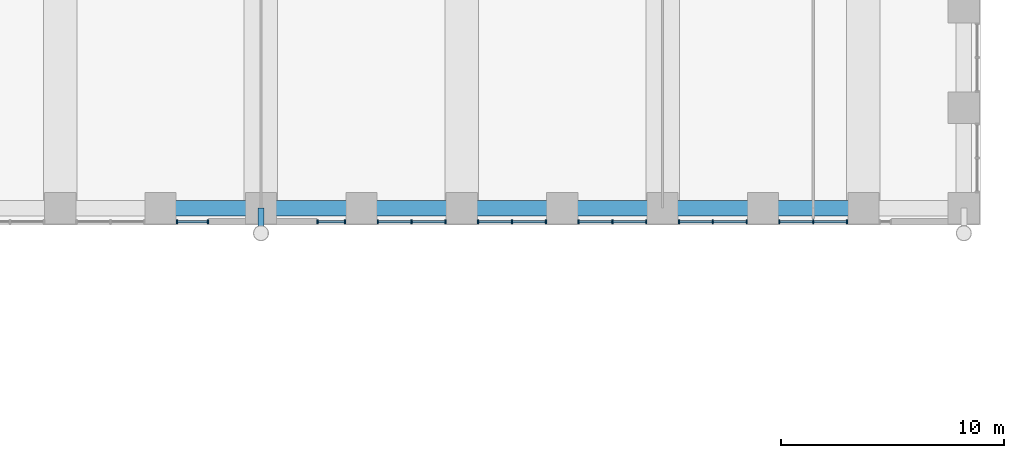
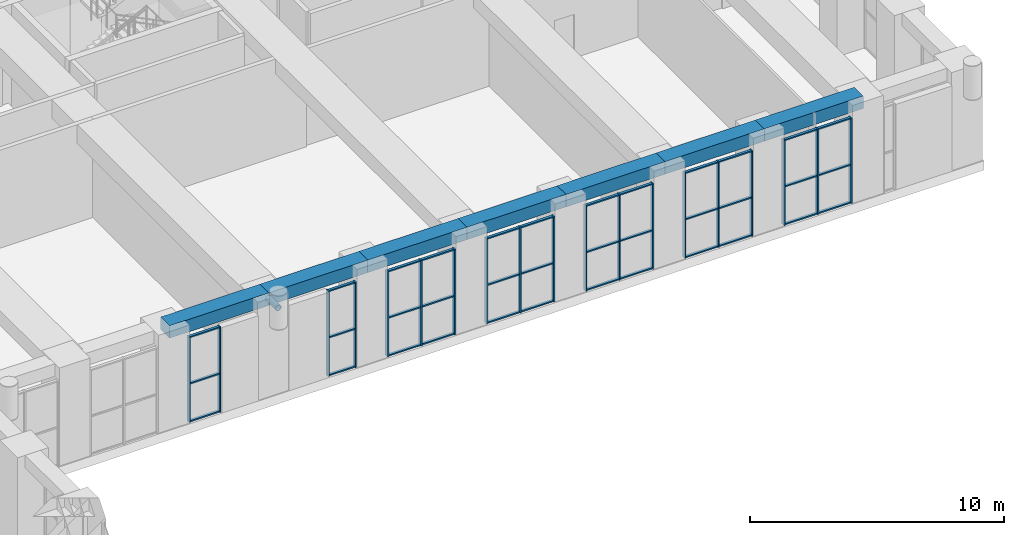
# One storey, part 6 of 35: 56 members, 7 beams, 7 elements without a shape of their own.
"""IFC4 building model written with IfcOpenShell, lengths in metres."""

from ifc_helpers import new_model, si_unit, direction, frame, origin, origin_2d, place, context, subcontext, project, spatial, rectangle, hollow_circle, extrude, material, material_profile, profile_set, type_object, element, aggregate, save


model = new_model("IFC4")

# Units and contexts
model_context = context("Model", 3, precision=1e-05, world=origin(), true_north=direction((0.0, 1.0)))
body_context = subcontext(model_context, "Body", "Model", "MODEL_VIEW")
ifc_project = project(units=[si_unit("LENGTHUNIT", "METRE"), si_unit("AREAUNIT", "SQUARE_METRE"), si_unit("VOLUMEUNIT", "CUBIC_METRE"), si_unit("PLANEANGLEUNIT", "RADIAN"), si_unit("MASSUNIT", "GRAM", prefix="KILO")], contexts=[model_context])

# Site, building, storey
site_placement = place(None, origin())
site = spatial("IfcSite", under=ifc_project, at=site_placement, CompositionType="ELEMENT")
building_placement = place(site_placement, origin())
building = spatial("IfcBuilding", under=site, at=building_placement, Name="Firuza Court", CompositionType="ELEMENT")
storey_placement = place(building_placement, frame((0.0, 0.0, 24.0)))
storey = spatial("IfcBuildingStorey", under=building, at=storey_placement, Name="L04", CompositionType="ELEMENT", Elevation=24.0)

# Member
ifc_material_1 = material(Name="Steel S355", Category="steel")
ifc_material_profile_1 = material_profile(ifc_material_1, hollow_circle(Radius=0.136474609375, WallThickness=0.012451171875, at=origin_2d()), Name="CHS 273x12.5")
ifc_profile_set_1 = profile_set([ifc_material_profile_1], Name="Steel S355")
member_type_1 = type_object("IfcMemberType", Name="Diagrid tie CHS 273x12.5 S355", PredefinedType="STRUT", material=ifc_profile_set_1)
member_1_placement = place(storey_placement, frame((36.0, 36.0, 4.449951171875), z_axis=(0.0, -1.0, 0.0), x_axis=(1.0, 0.0, 0.0)))
element("IfcMember", 1, at=member_1_placement, inside=storey, type_object=member_type_1, Name="Diagrid tie level L05", PredefinedType="STRUT", context=body_context, shape_type="SweptSolid", body=[
    extrude(hollow_circle(Radius=0.136474609375, WallThickness=0.012451171875, at=origin_2d()), origin(), (0.0, 0.0, 1.0), 1.1201171875),
])

# Curtain wall, members
ifc_material_2 = material(Name="Aluminium curtain wall, triple clear glazing", Category="aluminium")
curtain_wall_type = type_object("IfcCurtainWallType", Name="Podium unitised curtain wall CW1", PredefinedType="NOTDEFINED", material=ifc_material_2)
curtain_wall_1_placement = place(storey_placement, origin())
curtain_wall_1 = element("IfcCurtainWall", 2, at=curtain_wall_1_placement, inside=storey, type_object=curtain_wall_type, Name="Podium unitised curtain wall CW1 L04", PredefinedType="NOTDEFINED")
ifc_material_3 = material(Name="Aluminium EN AW-6060 T66", Category="aluminium")
ifc_material_profile_2 = material_profile(ifc_material_3, rectangle(XDim=0.179931640625, YDim=0.06005859375, at=origin_2d()), Name="Mullion 180 x 60 CW1")
ifc_profile_set_2 = profile_set([ifc_material_profile_2], Name="Aluminium EN AW-6060 T66")
member_type_2 = type_object("IfcMemberType", Name="Mullion 180 x 60 CW1", PredefinedType="MULLION", material=ifc_profile_set_2)
member_2_placement = place(storey_placement, frame((32.22998046875, 35.39990234375, 0.0), z_axis=(0.0, 0.0, 1.0), x_axis=(0.0, 1.0, 0.0)))
member_2 = element("IfcMember", 3, at=member_2_placement, type_object=member_type_2, Name="CW1 mullion 1", PredefinedType="MULLION", context=body_context, shape_type="SweptSolid", body=[
    extrude(rectangle(XDim=0.179931640625, YDim=0.06005859375, at=origin_2d()), origin(), (0.0, 0.0, 1.0), 4.10009765625),
])
member_3_placement = place(storey_placement, frame((33.62158203125, 35.39990234375, 0.0), z_axis=(0.0, 0.0, 1.0), x_axis=(0.0, 1.0, 0.0)))
member_3 = element("IfcMember", 4, at=member_3_placement, type_object=member_type_2, Name="CW1 mullion 2", PredefinedType="MULLION", context=body_context, shape_type="SweptSolid", body=[
    extrude(rectangle(XDim=0.179931640625, YDim=0.06005859375, at=origin_2d()), origin(), (0.0, 0.0, 1.0), 4.10009765625),
])

curtain_wall_2_placement = place(storey_placement, origin())
curtain_wall_2 = element("IfcCurtainWall", 5, at=curtain_wall_2_placement, inside=storey, type_object=curtain_wall_type, Name="Podium unitised curtain wall CW1 L04", PredefinedType="NOTDEFINED")
member_4_placement = place(storey_placement, frame((38.539306640625, 35.39990234375, 0.0), z_axis=(0.0, 0.0, 1.0), x_axis=(0.0, 1.0, 0.0)))
member_4 = element("IfcMember", 6, at=member_4_placement, type_object=member_type_2, Name="CW1 mullion 1", PredefinedType="MULLION", context=body_context, shape_type="SweptSolid", body=[
    extrude(rectangle(XDim=0.179931640625, YDim=0.06005859375, at=origin_2d()), origin(), (0.0, 0.0, 1.0), 4.10009765625),
])
member_5_placement = place(storey_placement, frame((39.77001953125, 35.39990234375, 0.0), z_axis=(0.0, 0.0, 1.0), x_axis=(0.0, 1.0, 0.0)))
member_5 = element("IfcMember", 7, at=member_5_placement, type_object=member_type_2, Name="CW1 mullion 2", PredefinedType="MULLION", context=body_context, shape_type="SweptSolid", body=[
    extrude(rectangle(XDim=0.179931640625, YDim=0.06005859375, at=origin_2d()), origin(), (0.0, 0.0, 1.0), 4.10009765625),
])

curtain_wall_3_placement = place(storey_placement, origin())
curtain_wall_3 = element("IfcCurtainWall", 8, at=curtain_wall_3_placement, inside=storey, type_object=curtain_wall_type, Name="Podium unitised curtain wall CW1 L04", PredefinedType="NOTDEFINED")
member_6_placement = place(storey_placement, frame((41.22998046875, 35.39990234375, 0.0), z_axis=(0.0, 0.0, 1.0), x_axis=(0.0, 1.0, 0.0)))
member_6 = element("IfcMember", 9, at=member_6_placement, type_object=member_type_2, Name="CW1 mullion 1", PredefinedType="MULLION", context=body_context, shape_type="SweptSolid", body=[
    extrude(rectangle(XDim=0.179931640625, YDim=0.06005859375, at=origin_2d()), origin(), (0.0, 0.0, 1.0), 4.10009765625),
])
member_7_placement = place(storey_placement, frame((42.75, 35.39990234375, 0.0), z_axis=(0.0, 0.0, 1.0), x_axis=(0.0, 1.0, 0.0)))
member_7 = element("IfcMember", 10, at=member_7_placement, type_object=member_type_2, Name="CW1 mullion 2", PredefinedType="MULLION", context=body_context, shape_type="SweptSolid", body=[
    extrude(rectangle(XDim=0.179931640625, YDim=0.06005859375, at=origin_2d()), origin(), (0.0, 0.0, 1.0), 4.10009765625),
])
member_8_placement = place(storey_placement, frame((44.27001953125, 35.39990234375, 0.0), z_axis=(0.0, 0.0, 1.0), x_axis=(0.0, 1.0, 0.0)))
member_8 = element("IfcMember", 11, at=member_8_placement, type_object=member_type_2, Name="CW1 mullion 3", PredefinedType="MULLION", context=body_context, shape_type="SweptSolid", body=[
    extrude(rectangle(XDim=0.179931640625, YDim=0.06005859375, at=origin_2d()), origin(), (0.0, 0.0, 1.0), 4.10009765625),
])

curtain_wall_4_placement = place(storey_placement, origin())
curtain_wall_4 = element("IfcCurtainWall", 12, at=curtain_wall_4_placement, inside=storey, type_object=curtain_wall_type, Name="Podium unitised curtain wall CW1 L04", PredefinedType="NOTDEFINED")
member_9_placement = place(storey_placement, frame((45.72998046875, 35.39990234375, 0.0), z_axis=(0.0, 0.0, 1.0), x_axis=(0.0, 1.0, 0.0)))
member_9 = element("IfcMember", 13, at=member_9_placement, type_object=member_type_2, Name="CW1 mullion 1", PredefinedType="MULLION", context=body_context, shape_type="SweptSolid", body=[
    extrude(rectangle(XDim=0.179931640625, YDim=0.06005859375, at=origin_2d()), origin(), (0.0, 0.0, 1.0), 4.10009765625),
])
member_10_placement = place(storey_placement, frame((47.25, 35.39990234375, 0.0), z_axis=(0.0, 0.0, 1.0), x_axis=(0.0, 1.0, 0.0)))
member_10 = element("IfcMember", 14, at=member_10_placement, type_object=member_type_2, Name="CW1 mullion 2", PredefinedType="MULLION", context=body_context, shape_type="SweptSolid", body=[
    extrude(rectangle(XDim=0.179931640625, YDim=0.06005859375, at=origin_2d()), origin(), (0.0, 0.0, 1.0), 4.10009765625),
])
member_11_placement = place(storey_placement, frame((48.77001953125, 35.39990234375, 0.0), z_axis=(0.0, 0.0, 1.0), x_axis=(0.0, 1.0, 0.0)))
member_11 = element("IfcMember", 15, at=member_11_placement, type_object=member_type_2, Name="CW1 mullion 3", PredefinedType="MULLION", context=body_context, shape_type="SweptSolid", body=[
    extrude(rectangle(XDim=0.179931640625, YDim=0.06005859375, at=origin_2d()), origin(), (0.0, 0.0, 1.0), 4.10009765625),
])

curtain_wall_5_placement = place(storey_placement, origin())
curtain_wall_5 = element("IfcCurtainWall", 16, at=curtain_wall_5_placement, inside=storey, type_object=curtain_wall_type, Name="Podium unitised curtain wall CW1 L04", PredefinedType="NOTDEFINED")
member_12_placement = place(storey_placement, frame((50.22998046875, 35.39990234375, 0.0), z_axis=(0.0, 0.0, 1.0), x_axis=(0.0, 1.0, 0.0)))
member_12 = element("IfcMember", 17, at=member_12_placement, type_object=member_type_2, Name="CW1 mullion 1", PredefinedType="MULLION", context=body_context, shape_type="SweptSolid", body=[
    extrude(rectangle(XDim=0.179931640625, YDim=0.06005859375, at=origin_2d()), origin(), (0.0, 0.0, 1.0), 4.10009765625),
])
member_13_placement = place(storey_placement, frame((51.75, 35.39990234375, 0.0), z_axis=(0.0, 0.0, 1.0), x_axis=(0.0, 1.0, 0.0)))
member_13 = element("IfcMember", 18, at=member_13_placement, type_object=member_type_2, Name="CW1 mullion 2", PredefinedType="MULLION", context=body_context, shape_type="SweptSolid", body=[
    extrude(rectangle(XDim=0.179931640625, YDim=0.06005859375, at=origin_2d()), origin(), (0.0, 0.0, 1.0), 4.10009765625),
])
member_14_placement = place(storey_placement, frame((53.27001953125, 35.39990234375, 0.0), z_axis=(0.0, 0.0, 1.0), x_axis=(0.0, 1.0, 0.0)))
member_14 = element("IfcMember", 19, at=member_14_placement, type_object=member_type_2, Name="CW1 mullion 3", PredefinedType="MULLION", context=body_context, shape_type="SweptSolid", body=[
    extrude(rectangle(XDim=0.179931640625, YDim=0.06005859375, at=origin_2d()), origin(), (0.0, 0.0, 1.0), 4.10009765625),
])

curtain_wall_6_placement = place(storey_placement, origin())
curtain_wall_6 = element("IfcCurtainWall", 20, at=curtain_wall_6_placement, inside=storey, type_object=curtain_wall_type, Name="Podium unitised curtain wall CW1 L04", PredefinedType="NOTDEFINED")
member_15_placement = place(storey_placement, frame((54.72998046875, 35.39990234375, 0.0), z_axis=(0.0, 0.0, 1.0), x_axis=(0.0, 1.0, 0.0)))
member_15 = element("IfcMember", 21, at=member_15_placement, type_object=member_type_2, Name="CW1 mullion 1", PredefinedType="MULLION", context=body_context, shape_type="SweptSolid", body=[
    extrude(rectangle(XDim=0.179931640625, YDim=0.06005859375, at=origin_2d()), origin(), (0.0, 0.0, 1.0), 4.10009765625),
])
member_16_placement = place(storey_placement, frame((56.25, 35.39990234375, 0.0), z_axis=(0.0, 0.0, 1.0), x_axis=(0.0, 1.0, 0.0)))
member_16 = element("IfcMember", 22, at=member_16_placement, type_object=member_type_2, Name="CW1 mullion 2", PredefinedType="MULLION", context=body_context, shape_type="SweptSolid", body=[
    extrude(rectangle(XDim=0.179931640625, YDim=0.06005859375, at=origin_2d()), origin(), (0.0, 0.0, 1.0), 4.10009765625),
])
member_17_placement = place(storey_placement, frame((57.77001953125, 35.39990234375, 0.0), z_axis=(0.0, 0.0, 1.0), x_axis=(0.0, 1.0, 0.0)))
member_17 = element("IfcMember", 23, at=member_17_placement, type_object=member_type_2, Name="CW1 mullion 3", PredefinedType="MULLION", context=body_context, shape_type="SweptSolid", body=[
    extrude(rectangle(XDim=0.179931640625, YDim=0.06005859375, at=origin_2d()), origin(), (0.0, 0.0, 1.0), 4.10009765625),
])

curtain_wall_7_placement = place(storey_placement, origin())
curtain_wall_7 = element("IfcCurtainWall", 24, at=curtain_wall_7_placement, inside=storey, type_object=curtain_wall_type, Name="Podium unitised curtain wall CW1 L04", PredefinedType="NOTDEFINED")
member_18_placement = place(storey_placement, frame((59.22998046875, 35.39990234375, 0.0), z_axis=(0.0, 0.0, 1.0), x_axis=(0.0, 1.0, 0.0)))
member_18 = element("IfcMember", 25, at=member_18_placement, type_object=member_type_2, Name="CW1 mullion 1", PredefinedType="MULLION", context=body_context, shape_type="SweptSolid", body=[
    extrude(rectangle(XDim=0.179931640625, YDim=0.06005859375, at=origin_2d()), origin(), (0.0, 0.0, 1.0), 4.10009765625),
])
member_19_placement = place(storey_placement, frame((60.75, 35.39990234375, 0.0), z_axis=(0.0, 0.0, 1.0), x_axis=(0.0, 1.0, 0.0)))
member_19 = element("IfcMember", 26, at=member_19_placement, type_object=member_type_2, Name="CW1 mullion 2", PredefinedType="MULLION", context=body_context, shape_type="SweptSolid", body=[
    extrude(rectangle(XDim=0.179931640625, YDim=0.06005859375, at=origin_2d()), origin(), (0.0, 0.0, 1.0), 4.10009765625),
])
member_20_placement = place(storey_placement, frame((62.27001953125, 35.39990234375, 0.0), z_axis=(0.0, 0.0, 1.0), x_axis=(0.0, 1.0, 0.0)))
member_20 = element("IfcMember", 27, at=member_20_placement, type_object=member_type_2, Name="CW1 mullion 3", PredefinedType="MULLION", context=body_context, shape_type="SweptSolid", body=[
    extrude(rectangle(XDim=0.179931640625, YDim=0.06005859375, at=origin_2d()), origin(), (0.0, 0.0, 1.0), 4.10009765625),
])

# Beams
ifc_material_4 = material(Name="Concrete C40/50", Category="concrete")
ifc_material_profile_3 = material_profile(ifc_material_4, rectangle(XDim=0.699951171875, YDim=0.60009765625, at=origin_2d()), Name="RC 700x600")
ifc_profile_set_3 = profile_set([ifc_material_profile_3], Name="Concrete C40/50")
beam_type = type_object("IfcBeamType", Name="Spandrel beam RC 700x600 C40/50", PredefinedType="BEAM", material=ifc_profile_set_3)
for number, where, z_axis, x_axis, name in (
    (28, (31.5, 36.0, 4.39990234375), (1.0, 0.0, 0.0), (0.0, 1.0, 0.0), "Spandrel beam SP10 level L05"),
    (29, (36.0, 36.0, 4.39990234375), (1.0, 0.0, 0.0), (0.0, 1.0, 0.0), "Spandrel beam SP10 level L05"),
    (30, (40.5, 36.0, 4.39990234375), (1.0, 0.0, 0.0), (0.0, 1.0, 0.0), "Spandrel beam SP10 level L05"),
    (31, (45.0, 36.0, 4.39990234375), (1.0, 0.0, 0.0), (0.0, 1.0, 0.0), "Spandrel beam SP10 level L05"),
    (32, (49.5, 36.0, 4.39990234375), (1.0, 0.0, 0.0), (0.0, 1.0, 0.0), "Spandrel beam SP10 level L05"),
    (33, (54.0, 36.0, 4.39990234375), (1.0, 0.0, 0.0), (0.0, 1.0, 0.0), "Spandrel beam SP10 level L05"),
    (34, (58.5, 36.0, 4.39990234375), (1.0, 0.0, 0.0), (0.0, 1.0, 0.0), "Spandrel beam SP10 level L05"),
):
    element("IfcBeam", number, at=place(storey_placement, frame(where, z_axis=z_axis, x_axis=x_axis)), inside=storey, type_object=beam_type, Name=name, PredefinedType="BEAM", context=body_context, shape_type="SweptSolid", body=[
        extrude(rectangle(XDim=0.699951171875, YDim=0.60009765625, at=origin_2d()), origin(), (0.0, 0.0, 1.0), 4.5),
    ])

# Member
ifc_material_5 = material(Name="Aluminium EN AW-6060 T66", Category="aluminium")
ifc_material_profile_4 = material_profile(ifc_material_5, rectangle(XDim=0.1201171875, YDim=0.06005859375, at=origin_2d()), Name="Transom 120 x 60 CW1")
ifc_profile_set_4 = profile_set([ifc_material_profile_4], Name="Aluminium EN AW-6060 T66")
member_type_3 = type_object("IfcMemberType", Name="Transom 120 x 60 CW1", PredefinedType="USERDEFINED", material=ifc_profile_set_4)
member_21_placement = place(storey_placement, frame((32.260009765625, 35.39990234375, 0.030029296875), z_axis=(1.0, 0.0, 0.0), x_axis=(0.0, 1.0, 0.0)))
member_21 = element("IfcMember", 35, at=member_21_placement, type_object=member_type_3, Name="CW1 transom 1.1", ObjectType="TRANSOM", PredefinedType="USERDEFINED", context=body_context, shape_type="SweptSolid", body=[
    extrude(rectangle(XDim=0.1201171875, YDim=0.06005859375, at=origin_2d()), origin(), (0.0, 0.0, 1.0), 1.33154296875),
])

member_22_placement = place(storey_placement, frame((32.260009765625, 35.39990234375, 1.844970703125), z_axis=(1.0, 0.0, 0.0), x_axis=(0.0, 1.0, 0.0)))
member_22 = element("IfcMember", 36, at=member_22_placement, type_object=member_type_3, Name="CW1 transom 1.2", ObjectType="TRANSOM", PredefinedType="USERDEFINED", context=body_context, shape_type="SweptSolid", body=[
    extrude(rectangle(XDim=0.1201171875, YDim=0.06005859375, at=origin_2d()), origin(), (0.0, 0.0, 1.0), 1.33154296875),
])

member_23_placement = place(storey_placement, frame((32.260009765625, 35.39990234375, 4.070068359375), z_axis=(1.0, 0.0, 0.0), x_axis=(0.0, 1.0, 0.0)))
member_23 = element("IfcMember", 37, at=member_23_placement, type_object=member_type_3, Name="CW1 transom 1.3", ObjectType="TRANSOM", PredefinedType="USERDEFINED", context=body_context, shape_type="SweptSolid", body=[
    extrude(rectangle(XDim=0.1201171875, YDim=0.06005859375, at=origin_2d()), origin(), (0.0, 0.0, 1.0), 1.33154296875),
])

aggregate(curtain_wall_1, [member_2, member_3, member_21, member_22, member_23])

member_24_placement = place(storey_placement, frame((38.569091796875, 35.39990234375, 0.030029296875), z_axis=(1.0, 0.0, 0.0), x_axis=(0.0, 1.0, 0.0)))
member_24 = element("IfcMember", 38, at=member_24_placement, type_object=member_type_3, Name="CW1 transom 1.1", ObjectType="TRANSOM", PredefinedType="USERDEFINED", context=body_context, shape_type="SweptSolid", body=[
    extrude(rectangle(XDim=0.1201171875, YDim=0.06005859375, at=origin_2d()), origin(), (0.0, 0.0, 1.0), 1.1708984375),
])

member_25_placement = place(storey_placement, frame((38.569091796875, 35.39990234375, 1.844970703125), z_axis=(1.0, 0.0, 0.0), x_axis=(0.0, 1.0, 0.0)))
member_25 = element("IfcMember", 39, at=member_25_placement, type_object=member_type_3, Name="CW1 transom 1.2", ObjectType="TRANSOM", PredefinedType="USERDEFINED", context=body_context, shape_type="SweptSolid", body=[
    extrude(rectangle(XDim=0.1201171875, YDim=0.06005859375, at=origin_2d()), origin(), (0.0, 0.0, 1.0), 1.1708984375),
])

member_26_placement = place(storey_placement, frame((38.569091796875, 35.39990234375, 4.070068359375), z_axis=(1.0, 0.0, 0.0), x_axis=(0.0, 1.0, 0.0)))
member_26 = element("IfcMember", 40, at=member_26_placement, type_object=member_type_3, Name="CW1 transom 1.3", ObjectType="TRANSOM", PredefinedType="USERDEFINED", context=body_context, shape_type="SweptSolid", body=[
    extrude(rectangle(XDim=0.1201171875, YDim=0.06005859375, at=origin_2d()), origin(), (0.0, 0.0, 1.0), 1.1708984375),
])

aggregate(curtain_wall_2, [member_4, member_5, member_24, member_25, member_26])

member_27_placement = place(storey_placement, frame((41.260009765625, 35.39990234375, 0.030029296875), z_axis=(1.0, 0.0, 0.0), x_axis=(0.0, 1.0, 0.0)))
member_27 = element("IfcMember", 41, at=member_27_placement, type_object=member_type_3, Name="CW1 transom 1.1", ObjectType="TRANSOM", PredefinedType="USERDEFINED", context=body_context, shape_type="SweptSolid", body=[
    extrude(rectangle(XDim=0.1201171875, YDim=0.06005859375, at=origin_2d()), origin(), (0.0, 0.0, 1.0), 1.4599609375),
])

member_28_placement = place(storey_placement, frame((41.260009765625, 35.39990234375, 1.844970703125), z_axis=(1.0, 0.0, 0.0), x_axis=(0.0, 1.0, 0.0)))
member_28 = element("IfcMember", 42, at=member_28_placement, type_object=member_type_3, Name="CW1 transom 1.2", ObjectType="TRANSOM", PredefinedType="USERDEFINED", context=body_context, shape_type="SweptSolid", body=[
    extrude(rectangle(XDim=0.1201171875, YDim=0.06005859375, at=origin_2d()), origin(), (0.0, 0.0, 1.0), 1.4599609375),
])

member_29_placement = place(storey_placement, frame((41.260009765625, 35.39990234375, 4.070068359375), z_axis=(1.0, 0.0, 0.0), x_axis=(0.0, 1.0, 0.0)))
member_29 = element("IfcMember", 43, at=member_29_placement, type_object=member_type_3, Name="CW1 transom 1.3", ObjectType="TRANSOM", PredefinedType="USERDEFINED", context=body_context, shape_type="SweptSolid", body=[
    extrude(rectangle(XDim=0.1201171875, YDim=0.06005859375, at=origin_2d()), origin(), (0.0, 0.0, 1.0), 1.4599609375),
])

member_30_placement = place(storey_placement, frame((42.780029296875, 35.39990234375, 0.030029296875), z_axis=(1.0, 0.0, 0.0), x_axis=(0.0, 1.0, 0.0)))
member_30 = element("IfcMember", 44, at=member_30_placement, type_object=member_type_3, Name="CW1 transom 2.1", ObjectType="TRANSOM", PredefinedType="USERDEFINED", context=body_context, shape_type="SweptSolid", body=[
    extrude(rectangle(XDim=0.1201171875, YDim=0.06005859375, at=origin_2d()), origin(), (0.0, 0.0, 1.0), 1.4599609375),
])

member_31_placement = place(storey_placement, frame((42.780029296875, 35.39990234375, 1.844970703125), z_axis=(1.0, 0.0, 0.0), x_axis=(0.0, 1.0, 0.0)))
member_31 = element("IfcMember", 45, at=member_31_placement, type_object=member_type_3, Name="CW1 transom 2.2", ObjectType="TRANSOM", PredefinedType="USERDEFINED", context=body_context, shape_type="SweptSolid", body=[
    extrude(rectangle(XDim=0.1201171875, YDim=0.06005859375, at=origin_2d()), origin(), (0.0, 0.0, 1.0), 1.4599609375),
])

member_32_placement = place(storey_placement, frame((42.780029296875, 35.39990234375, 4.070068359375), z_axis=(1.0, 0.0, 0.0), x_axis=(0.0, 1.0, 0.0)))
member_32 = element("IfcMember", 46, at=member_32_placement, type_object=member_type_3, Name="CW1 transom 2.3", ObjectType="TRANSOM", PredefinedType="USERDEFINED", context=body_context, shape_type="SweptSolid", body=[
    extrude(rectangle(XDim=0.1201171875, YDim=0.06005859375, at=origin_2d()), origin(), (0.0, 0.0, 1.0), 1.4599609375),
])

aggregate(curtain_wall_3, [member_6, member_7, member_8, member_27, member_28, member_29, member_30, member_31, member_32])

member_33_placement = place(storey_placement, frame((45.760009765625, 35.39990234375, 0.030029296875), z_axis=(1.0, 0.0, 0.0), x_axis=(0.0, 1.0, 0.0)))
member_33 = element("IfcMember", 47, at=member_33_placement, type_object=member_type_3, Name="CW1 transom 1.1", ObjectType="TRANSOM", PredefinedType="USERDEFINED", context=body_context, shape_type="SweptSolid", body=[
    extrude(rectangle(XDim=0.1201171875, YDim=0.06005859375, at=origin_2d()), origin(), (0.0, 0.0, 1.0), 1.4599609375),
])

member_34_placement = place(storey_placement, frame((45.760009765625, 35.39990234375, 1.844970703125), z_axis=(1.0, 0.0, 0.0), x_axis=(0.0, 1.0, 0.0)))
member_34 = element("IfcMember", 48, at=member_34_placement, type_object=member_type_3, Name="CW1 transom 1.2", ObjectType="TRANSOM", PredefinedType="USERDEFINED", context=body_context, shape_type="SweptSolid", body=[
    extrude(rectangle(XDim=0.1201171875, YDim=0.06005859375, at=origin_2d()), origin(), (0.0, 0.0, 1.0), 1.4599609375),
])

member_35_placement = place(storey_placement, frame((45.760009765625, 35.39990234375, 4.070068359375), z_axis=(1.0, 0.0, 0.0), x_axis=(0.0, 1.0, 0.0)))
member_35 = element("IfcMember", 49, at=member_35_placement, type_object=member_type_3, Name="CW1 transom 1.3", ObjectType="TRANSOM", PredefinedType="USERDEFINED", context=body_context, shape_type="SweptSolid", body=[
    extrude(rectangle(XDim=0.1201171875, YDim=0.06005859375, at=origin_2d()), origin(), (0.0, 0.0, 1.0), 1.4599609375),
])

member_36_placement = place(storey_placement, frame((47.280029296875, 35.39990234375, 0.030029296875), z_axis=(1.0, 0.0, 0.0), x_axis=(0.0, 1.0, 0.0)))
member_36 = element("IfcMember", 50, at=member_36_placement, type_object=member_type_3, Name="CW1 transom 2.1", ObjectType="TRANSOM", PredefinedType="USERDEFINED", context=body_context, shape_type="SweptSolid", body=[
    extrude(rectangle(XDim=0.1201171875, YDim=0.06005859375, at=origin_2d()), origin(), (0.0, 0.0, 1.0), 1.4599609375),
])

member_37_placement = place(storey_placement, frame((47.280029296875, 35.39990234375, 1.844970703125), z_axis=(1.0, 0.0, 0.0), x_axis=(0.0, 1.0, 0.0)))
member_37 = element("IfcMember", 51, at=member_37_placement, type_object=member_type_3, Name="CW1 transom 2.2", ObjectType="TRANSOM", PredefinedType="USERDEFINED", context=body_context, shape_type="SweptSolid", body=[
    extrude(rectangle(XDim=0.1201171875, YDim=0.06005859375, at=origin_2d()), origin(), (0.0, 0.0, 1.0), 1.4599609375),
])

member_38_placement = place(storey_placement, frame((47.280029296875, 35.39990234375, 4.070068359375), z_axis=(1.0, 0.0, 0.0), x_axis=(0.0, 1.0, 0.0)))
member_38 = element("IfcMember", 52, at=member_38_placement, type_object=member_type_3, Name="CW1 transom 2.3", ObjectType="TRANSOM", PredefinedType="USERDEFINED", context=body_context, shape_type="SweptSolid", body=[
    extrude(rectangle(XDim=0.1201171875, YDim=0.06005859375, at=origin_2d()), origin(), (0.0, 0.0, 1.0), 1.4599609375),
])

aggregate(curtain_wall_4, [member_9, member_10, member_11, member_33, member_34, member_35, member_36, member_37, member_38])

member_39_placement = place(storey_placement, frame((50.260009765625, 35.39990234375, 0.030029296875), z_axis=(1.0, 0.0, 0.0), x_axis=(0.0, 1.0, 0.0)))
member_39 = element("IfcMember", 53, at=member_39_placement, type_object=member_type_3, Name="CW1 transom 1.1", ObjectType="TRANSOM", PredefinedType="USERDEFINED", context=body_context, shape_type="SweptSolid", body=[
    extrude(rectangle(XDim=0.1201171875, YDim=0.06005859375, at=origin_2d()), origin(), (0.0, 0.0, 1.0), 1.4599609375),
])

member_40_placement = place(storey_placement, frame((50.260009765625, 35.39990234375, 1.844970703125), z_axis=(1.0, 0.0, 0.0), x_axis=(0.0, 1.0, 0.0)))
member_40 = element("IfcMember", 54, at=member_40_placement, type_object=member_type_3, Name="CW1 transom 1.2", ObjectType="TRANSOM", PredefinedType="USERDEFINED", context=body_context, shape_type="SweptSolid", body=[
    extrude(rectangle(XDim=0.1201171875, YDim=0.06005859375, at=origin_2d()), origin(), (0.0, 0.0, 1.0), 1.4599609375),
])

member_41_placement = place(storey_placement, frame((50.260009765625, 35.39990234375, 4.070068359375), z_axis=(1.0, 0.0, 0.0), x_axis=(0.0, 1.0, 0.0)))
member_41 = element("IfcMember", 55, at=member_41_placement, type_object=member_type_3, Name="CW1 transom 1.3", ObjectType="TRANSOM", PredefinedType="USERDEFINED", context=body_context, shape_type="SweptSolid", body=[
    extrude(rectangle(XDim=0.1201171875, YDim=0.06005859375, at=origin_2d()), origin(), (0.0, 0.0, 1.0), 1.4599609375),
])

member_42_placement = place(storey_placement, frame((51.780029296875, 35.39990234375, 0.030029296875), z_axis=(1.0, 0.0, 0.0), x_axis=(0.0, 1.0, 0.0)))
member_42 = element("IfcMember", 56, at=member_42_placement, type_object=member_type_3, Name="CW1 transom 2.1", ObjectType="TRANSOM", PredefinedType="USERDEFINED", context=body_context, shape_type="SweptSolid", body=[
    extrude(rectangle(XDim=0.1201171875, YDim=0.06005859375, at=origin_2d()), origin(), (0.0, 0.0, 1.0), 1.4599609375),
])

member_43_placement = place(storey_placement, frame((51.780029296875, 35.39990234375, 1.844970703125), z_axis=(1.0, 0.0, 0.0), x_axis=(0.0, 1.0, 0.0)))
member_43 = element("IfcMember", 57, at=member_43_placement, type_object=member_type_3, Name="CW1 transom 2.2", ObjectType="TRANSOM", PredefinedType="USERDEFINED", context=body_context, shape_type="SweptSolid", body=[
    extrude(rectangle(XDim=0.1201171875, YDim=0.06005859375, at=origin_2d()), origin(), (0.0, 0.0, 1.0), 1.4599609375),
])

member_44_placement = place(storey_placement, frame((51.780029296875, 35.39990234375, 4.070068359375), z_axis=(1.0, 0.0, 0.0), x_axis=(0.0, 1.0, 0.0)))
member_44 = element("IfcMember", 58, at=member_44_placement, type_object=member_type_3, Name="CW1 transom 2.3", ObjectType="TRANSOM", PredefinedType="USERDEFINED", context=body_context, shape_type="SweptSolid", body=[
    extrude(rectangle(XDim=0.1201171875, YDim=0.06005859375, at=origin_2d()), origin(), (0.0, 0.0, 1.0), 1.4599609375),
])

aggregate(curtain_wall_5, [member_12, member_13, member_14, member_39, member_40, member_41, member_42, member_43, member_44])

member_45_placement = place(storey_placement, frame((54.760009765625, 35.39990234375, 0.030029296875), z_axis=(1.0, 0.0, 0.0), x_axis=(0.0, 1.0, 0.0)))
member_45 = element("IfcMember", 59, at=member_45_placement, type_object=member_type_3, Name="CW1 transom 1.1", ObjectType="TRANSOM", PredefinedType="USERDEFINED", context=body_context, shape_type="SweptSolid", body=[
    extrude(rectangle(XDim=0.1201171875, YDim=0.06005859375, at=origin_2d()), origin(), (0.0, 0.0, 1.0), 1.4599609375),
])

member_46_placement = place(storey_placement, frame((54.760009765625, 35.39990234375, 1.844970703125), z_axis=(1.0, 0.0, 0.0), x_axis=(0.0, 1.0, 0.0)))
member_46 = element("IfcMember", 60, at=member_46_placement, type_object=member_type_3, Name="CW1 transom 1.2", ObjectType="TRANSOM", PredefinedType="USERDEFINED", context=body_context, shape_type="SweptSolid", body=[
    extrude(rectangle(XDim=0.1201171875, YDim=0.06005859375, at=origin_2d()), origin(), (0.0, 0.0, 1.0), 1.4599609375),
])

member_47_placement = place(storey_placement, frame((54.760009765625, 35.39990234375, 4.070068359375), z_axis=(1.0, 0.0, 0.0), x_axis=(0.0, 1.0, 0.0)))
member_47 = element("IfcMember", 61, at=member_47_placement, type_object=member_type_3, Name="CW1 transom 1.3", ObjectType="TRANSOM", PredefinedType="USERDEFINED", context=body_context, shape_type="SweptSolid", body=[
    extrude(rectangle(XDim=0.1201171875, YDim=0.06005859375, at=origin_2d()), origin(), (0.0, 0.0, 1.0), 1.4599609375),
])

member_48_placement = place(storey_placement, frame((56.280029296875, 35.39990234375, 0.030029296875), z_axis=(1.0, 0.0, 0.0), x_axis=(0.0, 1.0, 0.0)))
member_48 = element("IfcMember", 62, at=member_48_placement, type_object=member_type_3, Name="CW1 transom 2.1", ObjectType="TRANSOM", PredefinedType="USERDEFINED", context=body_context, shape_type="SweptSolid", body=[
    extrude(rectangle(XDim=0.1201171875, YDim=0.06005859375, at=origin_2d()), origin(), (0.0, 0.0, 1.0), 1.4599609375),
])

member_49_placement = place(storey_placement, frame((56.280029296875, 35.39990234375, 1.844970703125), z_axis=(1.0, 0.0, 0.0), x_axis=(0.0, 1.0, 0.0)))
member_49 = element("IfcMember", 63, at=member_49_placement, type_object=member_type_3, Name="CW1 transom 2.2", ObjectType="TRANSOM", PredefinedType="USERDEFINED", context=body_context, shape_type="SweptSolid", body=[
    extrude(rectangle(XDim=0.1201171875, YDim=0.06005859375, at=origin_2d()), origin(), (0.0, 0.0, 1.0), 1.4599609375),
])

member_50_placement = place(storey_placement, frame((56.280029296875, 35.39990234375, 4.070068359375), z_axis=(1.0, 0.0, 0.0), x_axis=(0.0, 1.0, 0.0)))
member_50 = element("IfcMember", 64, at=member_50_placement, type_object=member_type_3, Name="CW1 transom 2.3", ObjectType="TRANSOM", PredefinedType="USERDEFINED", context=body_context, shape_type="SweptSolid", body=[
    extrude(rectangle(XDim=0.1201171875, YDim=0.06005859375, at=origin_2d()), origin(), (0.0, 0.0, 1.0), 1.4599609375),
])

aggregate(curtain_wall_6, [member_15, member_16, member_17, member_45, member_46, member_47, member_48, member_49, member_50])

member_51_placement = place(storey_placement, frame((59.260009765625, 35.39990234375, 0.030029296875), z_axis=(1.0, 0.0, 0.0), x_axis=(0.0, 1.0, 0.0)))
member_51 = element("IfcMember", 65, at=member_51_placement, type_object=member_type_3, Name="CW1 transom 1.1", ObjectType="TRANSOM", PredefinedType="USERDEFINED", context=body_context, shape_type="SweptSolid", body=[
    extrude(rectangle(XDim=0.1201171875, YDim=0.06005859375, at=origin_2d()), origin(), (0.0, 0.0, 1.0), 1.4599609375),
])

member_52_placement = place(storey_placement, frame((59.260009765625, 35.39990234375, 1.844970703125), z_axis=(1.0, 0.0, 0.0), x_axis=(0.0, 1.0, 0.0)))
member_52 = element("IfcMember", 66, at=member_52_placement, type_object=member_type_3, Name="CW1 transom 1.2", ObjectType="TRANSOM", PredefinedType="USERDEFINED", context=body_context, shape_type="SweptSolid", body=[
    extrude(rectangle(XDim=0.1201171875, YDim=0.06005859375, at=origin_2d()), origin(), (0.0, 0.0, 1.0), 1.4599609375),
])

member_53_placement = place(storey_placement, frame((59.260009765625, 35.39990234375, 4.070068359375), z_axis=(1.0, 0.0, 0.0), x_axis=(0.0, 1.0, 0.0)))
member_53 = element("IfcMember", 67, at=member_53_placement, type_object=member_type_3, Name="CW1 transom 1.3", ObjectType="TRANSOM", PredefinedType="USERDEFINED", context=body_context, shape_type="SweptSolid", body=[
    extrude(rectangle(XDim=0.1201171875, YDim=0.06005859375, at=origin_2d()), origin(), (0.0, 0.0, 1.0), 1.4599609375),
])

member_54_placement = place(storey_placement, frame((60.780029296875, 35.39990234375, 0.030029296875), z_axis=(1.0, 0.0, 0.0), x_axis=(0.0, 1.0, 0.0)))
member_54 = element("IfcMember", 68, at=member_54_placement, type_object=member_type_3, Name="CW1 transom 2.1", ObjectType="TRANSOM", PredefinedType="USERDEFINED", context=body_context, shape_type="SweptSolid", body=[
    extrude(rectangle(XDim=0.1201171875, YDim=0.06005859375, at=origin_2d()), origin(), (0.0, 0.0, 1.0), 1.4599609375),
])

member_55_placement = place(storey_placement, frame((60.780029296875, 35.39990234375, 1.844970703125), z_axis=(1.0, 0.0, 0.0), x_axis=(0.0, 1.0, 0.0)))
member_55 = element("IfcMember", 69, at=member_55_placement, type_object=member_type_3, Name="CW1 transom 2.2", ObjectType="TRANSOM", PredefinedType="USERDEFINED", context=body_context, shape_type="SweptSolid", body=[
    extrude(rectangle(XDim=0.1201171875, YDim=0.06005859375, at=origin_2d()), origin(), (0.0, 0.0, 1.0), 1.4599609375),
])

member_56_placement = place(storey_placement, frame((60.780029296875, 35.39990234375, 4.070068359375), z_axis=(1.0, 0.0, 0.0), x_axis=(0.0, 1.0, 0.0)))
member_56 = element("IfcMember", 70, at=member_56_placement, type_object=member_type_3, Name="CW1 transom 2.3", ObjectType="TRANSOM", PredefinedType="USERDEFINED", context=body_context, shape_type="SweptSolid", body=[
    extrude(rectangle(XDim=0.1201171875, YDim=0.06005859375, at=origin_2d()), origin(), (0.0, 0.0, 1.0), 1.4599609375),
])

aggregate(curtain_wall_7, [member_18, member_19, member_20, member_51, member_52, member_53, member_54, member_55, member_56])

save(model, "model.ifc")
